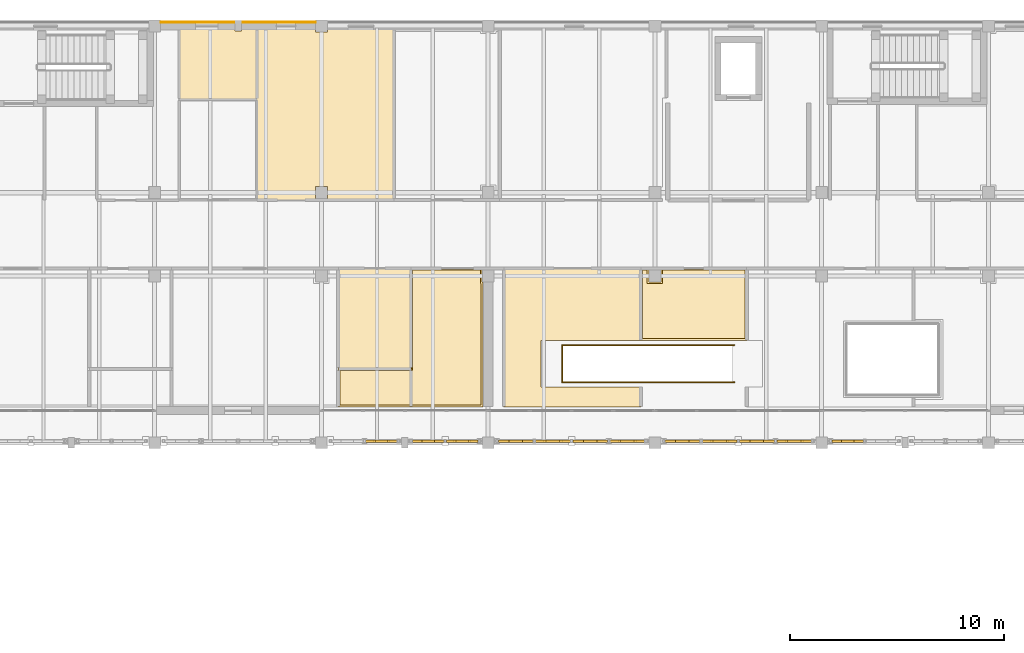
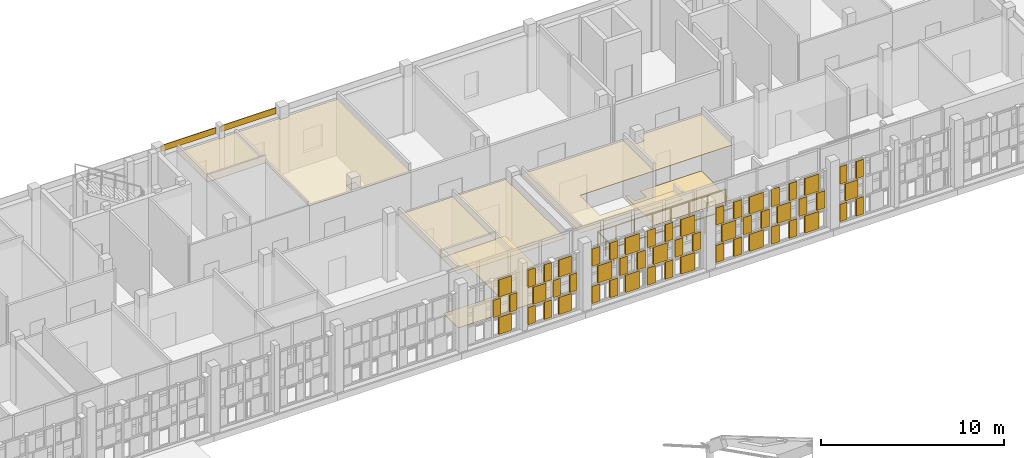
# One storey, part 117 of 119: 63 coverings, 3 railings.
"""IFC4 building model written with IfcOpenShell, lengths in metres."""

from ifc_helpers import new_model, si_unit, direction, frame, origin, origin_2d, place, context, subcontext, project, spatial, polyline, rectangle, circle, outline, extrude, material, layer, layer_set, type_object, element, save


model = new_model("IFC4")

# Units and contexts
model_context = context("Model", 3, precision=1e-05, world=origin(), true_north=direction((0.0, 1.0)))
body_context = subcontext(model_context, "Body", "Model", "MODEL_VIEW")
ifc_project = project(units=[si_unit("LENGTHUNIT", "METRE"), si_unit("AREAUNIT", "SQUARE_METRE"), si_unit("VOLUMEUNIT", "CUBIC_METRE"), si_unit("PLANEANGLEUNIT", "RADIAN"), si_unit("MASSUNIT", "GRAM", prefix="KILO")], contexts=[model_context])

# Site, building, storey
site_placement = place(None, origin())
site = spatial("IfcSite", under=ifc_project, at=site_placement, CompositionType="ELEMENT")
building_placement = place(site_placement, origin())
building = spatial("IfcBuilding", under=site, at=building_placement, Name="Celorna Specialist Clinic", CompositionType="ELEMENT")
storey_placement = place(building_placement, frame((0.0, 0.0, 9.60009765625)))
storey = spatial("IfcBuildingStorey", under=building, at=storey_placement, Name="L02", CompositionType="ELEMENT", Elevation=9.60009765625)

# Railings
ifc_material_1 = material(Name="Stainless steel and laminated glass balustrade", Category="steel")
railing_type = type_object("IfcRailingType", Name="BL-01", PredefinedType="BALUSTRADE", material=ifc_material_1)
railing_1_placement = place(storey_placement, frame((112.9150390625, 99.330078125, 0.0)))
element("IfcRailing", 1, at=railing_1_placement, inside=storey, type_object=railing_type, Name="Feature stair ST-17 upper well balustrade 1", PredefinedType="BALUSTRADE", context=body_context, shape_type="SweptSolid", body=[
    extrude(circle(Radius=0.02392578125, at=origin_2d()), frame((0.0, 0.0, 1.09619140625), z_axis=(-1.0, 0.0, 0.0), x_axis=(0.0, -1.0, 0.0)), (0.0, 0.0, 1.0), 8.054931640625),
    extrude(circle(Radius=0.02099609375, at=origin_2d()), origin(), (0.0, 0.0, 1.0), 1.072021484375),
    extrude(circle(Radius=0.02099609375, at=origin_2d()), frame((-1.150634765625, 0.0, 0.0)), (0.0, 0.0, 1.0), 1.072021484375),
    extrude(circle(Radius=0.02099609375, at=origin_2d()), frame((-2.301513671875, 0.0, 0.0)), (0.0, 0.0, 1.0), 1.072021484375),
    extrude(circle(Radius=0.02099609375, at=origin_2d()), frame((-3.4521484375, 0.0, 0.0)), (0.0, 0.0, 1.0), 1.072021484375),
    extrude(circle(Radius=0.02099609375, at=origin_2d()), frame((-4.602783203125, 0.0, 0.0)), (0.0, 0.0, 1.0), 1.072021484375),
    extrude(circle(Radius=0.02099609375, at=origin_2d()), frame((-5.75341796875, 0.0, 0.0)), (0.0, 0.0, 1.0), 1.072021484375),
    extrude(circle(Radius=0.02099609375, at=origin_2d()), frame((-6.904296875, 0.0, 0.0)), (0.0, 0.0, 1.0), 1.072021484375),
    extrude(circle(Radius=0.02099609375, at=origin_2d()), frame((-8.054931640625, 0.0, 0.0)), (0.0, 0.0, 1.0), 1.072021484375),
])
railing_2_placement = place(storey_placement, frame((104.860107421875, 99.330078125, 0.0)))
element("IfcRailing", 2, at=railing_2_placement, inside=storey, type_object=railing_type, Name="Feature stair ST-17 upper well balustrade 2", PredefinedType="BALUSTRADE", context=body_context, shape_type="SweptSolid", body=[
    extrude(circle(Radius=0.02392578125, at=origin_2d()), frame((0.0, 0.0, 1.09619140625), z_axis=(0.0, 1.0, 0.0), x_axis=(-1.0, 0.0, 0.0)), (0.0, 0.0, 1.0), 1.739990234375),
    extrude(circle(Radius=0.02099609375, at=origin_2d()), origin(), (0.0, 0.0, 1.0), 1.072021484375),
    extrude(circle(Radius=0.02099609375, at=origin_2d()), frame((0.0, 0.8701171875, 0.0)), (0.0, 0.0, 1.0), 1.072021484375),
    extrude(circle(Radius=0.02099609375, at=origin_2d()), frame((0.0, 1.739990234375, 0.0)), (0.0, 0.0, 1.0), 1.072021484375),
])
railing_3_placement = place(storey_placement, frame((104.860107421875, 101.070068359375, 0.0)))
element("IfcRailing", 3, at=railing_3_placement, inside=storey, type_object=railing_type, Name="Feature stair ST-17 upper well balustrade 3", PredefinedType="BALUSTRADE", context=body_context, shape_type="SweptSolid", body=[
    extrude(circle(Radius=0.02392578125, at=origin_2d()), frame((0.0, 0.0, 1.09619140625), z_axis=(1.0, 0.0, 0.0), x_axis=(0.0, 1.0, 0.0)), (0.0, 0.0, 1.0), 8.054931640625),
    extrude(circle(Radius=0.02099609375, at=origin_2d()), origin(), (0.0, 0.0, 1.0), 1.072021484375),
    extrude(circle(Radius=0.02099609375, at=origin_2d()), frame((1.150634765625, 0.0, 0.0)), (0.0, 0.0, 1.0), 1.072021484375),
    extrude(circle(Radius=0.02099609375, at=origin_2d()), frame((2.301513671875, 0.0, 0.0)), (0.0, 0.0, 1.0), 1.072021484375),
    extrude(circle(Radius=0.02099609375, at=origin_2d()), frame((3.4521484375, 0.0, 0.0)), (0.0, 0.0, 1.0), 1.072021484375),
    extrude(circle(Radius=0.02099609375, at=origin_2d()), frame((4.602783203125, 0.0, 0.0)), (0.0, 0.0, 1.0), 1.072021484375),
    extrude(circle(Radius=0.02099609375, at=origin_2d()), frame((5.75341796875, 0.0, 0.0)), (0.0, 0.0, 1.0), 1.072021484375),
    extrude(circle(Radius=0.02099609375, at=origin_2d()), frame((6.904296875, 0.0, 0.0)), (0.0, 0.0, 1.0), 1.072021484375),
    extrude(circle(Radius=0.02099609375, at=origin_2d()), frame((8.054931640625, 0.0, 0.0)), (0.0, 0.0, 1.0), 1.072021484375),
])

# Coverings
ifc_material_2 = material(Name="Hygienic acoustic mineral-fibre ceiling")
ifc_layer_1 = layer(ifc_material_2, 0.030029296875, Name="Hygienic acoustic mineral-fibre ceiling")
ifc_layer_set_1 = layer_set([ifc_layer_1], Name="Hygienic acoustic mineral-fibre ceiling")
covering_type_1 = type_object("IfcCoveringType", Name="CE-01", PredefinedType="CEILING", material=ifc_layer_set_1)
covering_1_placement = place(storey_placement, frame((0.0, 0.0, 3.68994140625)))
element("IfcCovering", 4, at=covering_1_placement, inside=storey, type_object=covering_type_1, Name="Acoustic ceiling L02-034", PredefinedType="CEILING", context=body_context, shape_type="SweptSolid", body=[
    extrude(outline(polyline([(97.804931640625, 104.6650390625), (97.804931640625, 99.93505859375), (94.375, 99.93505859375), (94.375, 104.6650390625), (97.804931640625, 104.6650390625)])), origin(), (0.0, 0.0, 1.0), 0.030029296875),
])
covering_2_placement = place(storey_placement, frame((0.0, 0.0, 3.68994140625)))
element("IfcCovering", 5, at=covering_2_placement, inside=storey, type_object=covering_type_1, Name="Acoustic ceiling L02-035", PredefinedType="CEILING", context=body_context, shape_type="SweptSolid", body=[
    extrude(outline(polyline([(97.77490234375, 104.6650390625), (101.1298828125, 104.6650390625), (101.1298828125, 104.580078125), (101.1201171875, 104.580078125), (101.1201171875, 104.02001953125), (101.1650390625, 104.02001953125), (101.1650390625, 98.175048828125), (94.375, 98.175048828125), (94.375, 99.965087890625), (97.77490234375, 99.965087890625), (97.77490234375, 104.6650390625)])), origin(), (0.0, 0.0, 1.0), 0.030029296875),
])
covering_3_placement = place(storey_placement, frame((0.0, 0.0, 3.68994140625)))
element("IfcCovering", 6, at=covering_3_placement, inside=storey, type_object=covering_type_1, Name="Acoustic ceiling L02-036", PredefinedType="CEILING", context=body_context, shape_type="SweptSolid", body=[
    extrude(outline(polyline([(102.125, 104.6650390625), (108.554931640625, 104.6650390625), (108.554931640625, 101.284912109375), (103.864990234375, 101.284912109375), (103.864990234375, 99.114990234375), (108.554931640625, 99.114990234375), (108.554931640625, 98.175048828125), (102.125, 98.175048828125), (102.125, 104.6650390625)])), origin(), (0.0, 0.0, 1.0), 0.030029296875),
])
covering_4_placement = place(storey_placement, frame((0.0, 0.0, 3.68994140625)))
element("IfcCovering", 7, at=covering_4_placement, inside=storey, type_object=covering_type_1, Name="Acoustic ceiling L02-037", PredefinedType="CEILING", context=body_context, shape_type="SweptSolid", body=[
    extrude(outline(polyline([(108.929931640625, 104.580078125), (108.919921875, 104.580078125), (108.919921875, 104.02001953125), (109.47998046875, 104.02001953125), (109.47998046875, 104.580078125), (109.469970703125, 104.580078125), (109.469970703125, 104.6650390625), (113.5048828125, 104.6650390625), (113.5048828125, 101.284912109375), (108.52490234375, 101.284912109375), (108.52490234375, 104.6650390625), (108.929931640625, 104.6650390625), (108.929931640625, 104.580078125)])), origin(), (0.0, 0.0, 1.0), 0.030029296875),
])
covering_5_placement = place(storey_placement, frame((0.0, 0.0, 3.68994140625)))
element("IfcCovering", 8, at=covering_5_placement, inside=storey, type_object=covering_type_1, Name="Acoustic ceiling L02-046", PredefinedType="CEILING", context=body_context, shape_type="SweptSolid", body=[
    extrude(outline(polyline([(93.320068359375, 115.824951171875), (93.320068359375, 115.719970703125), (93.8798828125, 115.719970703125), (93.8798828125, 115.824951171875), (97.0048828125, 115.824951171875), (97.0048828125, 107.8349609375), (93.8701171875, 107.8349609375), (93.8701171875, 107.919921875), (93.8798828125, 107.919921875), (93.8798828125, 108.47998046875), (93.320068359375, 108.47998046875), (93.320068359375, 107.919921875), (93.330078125, 107.919921875), (93.330078125, 107.8349609375), (90.574951171875, 107.8349609375), (90.574951171875, 112.534912109375), (86.925048828125, 112.534912109375), (86.925048828125, 115.824951171875), (89.544921875, 115.824951171875), (89.544921875, 115.7548828125), (89.85498046875, 115.7548828125), (89.85498046875, 115.824951171875), (93.320068359375, 115.824951171875)])), origin(), (0.0, 0.0, 1.0), 0.030029296875),
])
ifc_material_3 = material(Name="Pero Pinheiro Lioz limestone rainscreen cladding", Category="masonry")
ifc_layer_2 = layer(ifc_material_3, 0.044921875, Name="Pero Pinheiro Lioz limestone rainscreen cladding")
ifc_layer_set_2 = layer_set([ifc_layer_2], Name="Pero Pinheiro Lioz limestone rainscreen cladding")
covering_type_2 = type_object("IfcCoveringType", Name="CL-01", PredefinedType="CLADDING", material=ifc_layer_set_2)
for number, where, z_axis, x_axis, name in (
    (9, (87.8125, 116.16748046875, 3.83984375), (0.0, 0.0, 1.0), (1.0, 0.0, 0.0), "Lioz spandrel cladding #241"),
    (10, (91.58740234375, 116.16748046875, 3.83984375), (0.0, 0.0, 1.0), (1.0, 0.0, 0.0), "Lioz spandrel cladding #242"),
):
    element("IfcCovering", number, at=place(storey_placement, frame(where, z_axis=z_axis, x_axis=x_axis)), inside=storey, type_object=covering_type_2, Name=name, PredefinedType="CLADDING", context=body_context, shape_type="SweptSolid", body=[
        extrude(rectangle(XDim=3.47509765625, YDim=0.044921875, at=origin_2d()), origin(), (0.0, 0.0, 1.0), 0.39990234375),
    ])
ifc_material_4 = material(Name="Perforated terracotta brick weave cladding", Category="masonry")
ifc_layer_3 = layer(ifc_material_4, 0.114990234375, Name="Perforated terracotta brick weave cladding")
ifc_layer_set_3 = layer_set([ifc_layer_3], Name="Perforated terracotta brick weave cladding")
covering_type_3 = type_object("IfcCoveringType", Name="CL-02", PredefinedType="CLADDING", material=ifc_layer_set_3)
covering_6_placement = place(storey_placement, frame((96.4111328125, 96.570068359375, 0.10009765625), z_axis=(0.0, 0.0, 1.0), x_axis=(1.0, 0.0, 0.0)))
element("IfcCovering", 11, at=covering_6_placement, inside=storey, type_object=covering_type_3, Name="Woven perforated terracotta brick course #973", PredefinedType="CLADDING", context=body_context, shape_type="SweptSolid", body=[
    extrude(rectangle(XDim=0.7978515625, YDim=0.114990234375, at=origin_2d()), origin(), (0.0, 0.0, 1.0), 1.146728515625),
])
for number, where, z_axis, x_axis, name in (
    (12, (95.897705078125, 96.570068359375, 1.3466796875), (0.0, 0.0, 1.0), (1.0, 0.0, 0.0), "Woven perforated terracotta brick course #974"),
    (13, (96.9248046875, 96.570068359375, 1.3466796875), (0.0, 0.0, 1.0), (1.0, 0.0, 0.0), "Woven perforated terracotta brick course #975"),
):
    element("IfcCovering", number, at=place(storey_placement, frame(where, z_axis=z_axis, x_axis=x_axis)), inside=storey, type_object=covering_type_3, Name=name, PredefinedType="CLADDING", context=body_context, shape_type="SweptSolid", body=[
        extrude(rectangle(XDim=0.45068359375, YDim=0.114990234375, at=origin_2d()), origin(), (0.0, 0.0, 1.0), 1.146484375),
    ])
covering_7_placement = place(storey_placement, frame((96.4111328125, 96.570068359375, 2.59326171875), z_axis=(0.0, 0.0, 1.0), x_axis=(1.0, 0.0, 0.0)))
element("IfcCovering", 14, at=covering_7_placement, inside=storey, type_object=covering_type_3, Name="Woven perforated terracotta brick course #976", PredefinedType="CLADDING", context=body_context, shape_type="SweptSolid", body=[
    extrude(rectangle(XDim=0.7978515625, YDim=0.114990234375, at=origin_2d()), origin(), (0.0, 0.0, 1.0), 1.146728515625),
])
for number, where, z_axis, x_axis, name in (
    (15, (98.0751953125, 96.570068359375, 0.10009765625), (0.0, 0.0, 1.0), (1.0, 0.0, 0.0), "Woven perforated terracotta brick course #977"),
    (16, (99.102294921875, 96.570068359375, 0.10009765625), (0.0, 0.0, 1.0), (1.0, 0.0, 0.0), "Woven perforated terracotta brick course #978"),
):
    element("IfcCovering", number, at=place(storey_placement, frame(where, z_axis=z_axis, x_axis=x_axis)), inside=storey, type_object=covering_type_3, Name=name, PredefinedType="CLADDING", context=body_context, shape_type="SweptSolid", body=[
        extrude(rectangle(XDim=0.45068359375, YDim=0.114990234375, at=origin_2d()), origin(), (0.0, 0.0, 1.0), 1.146728515625),
    ])
covering_8_placement = place(storey_placement, frame((98.5888671875, 96.570068359375, 1.3466796875), z_axis=(0.0, 0.0, 1.0), x_axis=(1.0, 0.0, 0.0)))
element("IfcCovering", 17, at=covering_8_placement, inside=storey, type_object=covering_type_3, Name="Woven perforated terracotta brick course #979", PredefinedType="CLADDING", context=body_context, shape_type="SweptSolid", body=[
    extrude(rectangle(XDim=0.7978515625, YDim=0.114990234375, at=origin_2d()), origin(), (0.0, 0.0, 1.0), 1.146484375),
])
for number, where, z_axis, x_axis, name in (
    (18, (98.0751953125, 96.570068359375, 2.59326171875), (0.0, 0.0, 1.0), (1.0, 0.0, 0.0), "Woven perforated terracotta brick course #980"),
    (19, (99.102294921875, 96.570068359375, 2.59326171875), (0.0, 0.0, 1.0), (1.0, 0.0, 0.0), "Woven perforated terracotta brick course #981"),
):
    element("IfcCovering", number, at=place(storey_placement, frame(where, z_axis=z_axis, x_axis=x_axis)), inside=storey, type_object=covering_type_3, Name=name, PredefinedType="CLADDING", context=body_context, shape_type="SweptSolid", body=[
        extrude(rectangle(XDim=0.45068359375, YDim=0.114990234375, at=origin_2d()), origin(), (0.0, 0.0, 1.0), 1.146728515625),
    ])
covering_9_placement = place(storey_placement, frame((100.186279296875, 96.570068359375, 0.10009765625), z_axis=(0.0, 0.0, 1.0), x_axis=(1.0, 0.0, 0.0)))
element("IfcCovering", 20, at=covering_9_placement, inside=storey, type_object=covering_type_3, Name="Woven perforated terracotta brick course #982", PredefinedType="CLADDING", context=body_context, shape_type="SweptSolid", body=[
    extrude(rectangle(XDim=0.7978515625, YDim=0.114990234375, at=origin_2d()), origin(), (0.0, 0.0, 1.0), 1.146728515625),
])
for number, where, z_axis, x_axis, name in (
    (21, (99.6728515625, 96.570068359375, 1.3466796875), (0.0, 0.0, 1.0), (1.0, 0.0, 0.0), "Woven perforated terracotta brick course #983"),
    (22, (100.69970703125, 96.570068359375, 1.3466796875), (0.0, 0.0, 1.0), (1.0, 0.0, 0.0), "Woven perforated terracotta brick course #984"),
):
    element("IfcCovering", number, at=place(storey_placement, frame(where, z_axis=z_axis, x_axis=x_axis)), inside=storey, type_object=covering_type_3, Name=name, PredefinedType="CLADDING", context=body_context, shape_type="SweptSolid", body=[
        extrude(rectangle(XDim=0.45068359375, YDim=0.114990234375, at=origin_2d()), origin(), (0.0, 0.0, 1.0), 1.146484375),
    ])
covering_10_placement = place(storey_placement, frame((100.186279296875, 96.570068359375, 2.59326171875), z_axis=(0.0, 0.0, 1.0), x_axis=(1.0, 0.0, 0.0)))
element("IfcCovering", 23, at=covering_10_placement, inside=storey, type_object=covering_type_3, Name="Woven perforated terracotta brick course #985", PredefinedType="CLADDING", context=body_context, shape_type="SweptSolid", body=[
    extrude(rectangle(XDim=0.7978515625, YDim=0.114990234375, at=origin_2d()), origin(), (0.0, 0.0, 1.0), 1.146728515625),
])
for number, where, z_axis, x_axis, name in (
    (24, (102.12255859375, 96.570068359375, 0.10009765625), (0.0, 0.0, 1.0), (1.0, 0.0, 0.0), "Woven perforated terracotta brick course #986"),
    (25, (103.25, 96.570068359375, 0.10009765625), (0.0, 0.0, 1.0), (1.0, 0.0, 0.0), "Woven perforated terracotta brick course #987"),
):
    element("IfcCovering", number, at=place(storey_placement, frame(where, z_axis=z_axis, x_axis=x_axis)), inside=storey, type_object=covering_type_3, Name=name, PredefinedType="CLADDING", context=body_context, shape_type="SweptSolid", body=[
        extrude(rectangle(XDim=0.494873046875, YDim=0.114990234375, at=origin_2d()), origin(), (0.0, 0.0, 1.0), 1.146728515625),
    ])
covering_11_placement = place(storey_placement, frame((102.686279296875, 96.570068359375, 1.3466796875), z_axis=(0.0, 0.0, 1.0), x_axis=(1.0, 0.0, 0.0)))
element("IfcCovering", 26, at=covering_11_placement, inside=storey, type_object=covering_type_3, Name="Woven perforated terracotta brick course #988", PredefinedType="CLADDING", context=body_context, shape_type="SweptSolid", body=[
    extrude(rectangle(XDim=0.876220703125, YDim=0.114990234375, at=origin_2d()), origin(), (0.0, 0.0, 1.0), 1.146484375),
])
for number, where, z_axis, x_axis, name in (
    (27, (102.12255859375, 96.570068359375, 2.59326171875), (0.0, 0.0, 1.0), (1.0, 0.0, 0.0), "Woven perforated terracotta brick course #989"),
    (28, (103.25, 96.570068359375, 2.59326171875), (0.0, 0.0, 1.0), (1.0, 0.0, 0.0), "Woven perforated terracotta brick course #990"),
):
    element("IfcCovering", number, at=place(storey_placement, frame(where, z_axis=z_axis, x_axis=x_axis)), inside=storey, type_object=covering_type_3, Name=name, PredefinedType="CLADDING", context=body_context, shape_type="SweptSolid", body=[
        extrude(rectangle(XDim=0.494873046875, YDim=0.114990234375, at=origin_2d()), origin(), (0.0, 0.0, 1.0), 1.146728515625),
    ])
covering_12_placement = place(storey_placement, frame((104.4287109375, 96.570068359375, 0.10009765625), z_axis=(0.0, 0.0, 1.0), x_axis=(1.0, 0.0, 0.0)))
element("IfcCovering", 29, at=covering_12_placement, inside=storey, type_object=covering_type_3, Name="Woven perforated terracotta brick course #991", PredefinedType="CLADDING", context=body_context, shape_type="SweptSolid", body=[
    extrude(rectangle(XDim=0.876220703125, YDim=0.114990234375, at=origin_2d()), origin(), (0.0, 0.0, 1.0), 1.146728515625),
])
for number, where, z_axis, x_axis, name in (
    (30, (103.864990234375, 96.570068359375, 1.3466796875), (0.0, 0.0, 1.0), (1.0, 0.0, 0.0), "Woven perforated terracotta brick course #992"),
    (31, (104.99267578125, 96.570068359375, 1.3466796875), (0.0, 0.0, 1.0), (1.0, 0.0, 0.0), "Woven perforated terracotta brick course #993"),
):
    element("IfcCovering", number, at=place(storey_placement, frame(where, z_axis=z_axis, x_axis=x_axis)), inside=storey, type_object=covering_type_3, Name=name, PredefinedType="CLADDING", context=body_context, shape_type="SweptSolid", body=[
        extrude(rectangle(XDim=0.494873046875, YDim=0.114990234375, at=origin_2d()), origin(), (0.0, 0.0, 1.0), 1.146484375),
    ])
covering_13_placement = place(storey_placement, frame((104.4287109375, 96.570068359375, 2.59326171875), z_axis=(0.0, 0.0, 1.0), x_axis=(1.0, 0.0, 0.0)))
element("IfcCovering", 32, at=covering_13_placement, inside=storey, type_object=covering_type_3, Name="Woven perforated terracotta brick course #994", PredefinedType="CLADDING", context=body_context, shape_type="SweptSolid", body=[
    extrude(rectangle(XDim=0.876220703125, YDim=0.114990234375, at=origin_2d()), origin(), (0.0, 0.0, 1.0), 1.146728515625),
])
for number, where, z_axis, x_axis, name in (
    (33, (105.607421875, 96.570068359375, 0.10009765625), (0.0, 0.0, 1.0), (1.0, 0.0, 0.0), "Woven perforated terracotta brick course #995"),
    (34, (106.735107421875, 96.570068359375, 0.10009765625), (0.0, 0.0, 1.0), (1.0, 0.0, 0.0), "Woven perforated terracotta brick course #996"),
):
    element("IfcCovering", number, at=place(storey_placement, frame(where, z_axis=z_axis, x_axis=x_axis)), inside=storey, type_object=covering_type_3, Name=name, PredefinedType="CLADDING", context=body_context, shape_type="SweptSolid", body=[
        extrude(rectangle(XDim=0.494873046875, YDim=0.114990234375, at=origin_2d()), origin(), (0.0, 0.0, 1.0), 1.146728515625),
    ])
covering_14_placement = place(storey_placement, frame((106.17138671875, 96.570068359375, 1.3466796875), z_axis=(0.0, 0.0, 1.0), x_axis=(1.0, 0.0, 0.0)))
element("IfcCovering", 35, at=covering_14_placement, inside=storey, type_object=covering_type_3, Name="Woven perforated terracotta brick course #997", PredefinedType="CLADDING", context=body_context, shape_type="SweptSolid", body=[
    extrude(rectangle(XDim=0.876220703125, YDim=0.114990234375, at=origin_2d()), origin(), (0.0, 0.0, 1.0), 1.146484375),
])
for number, where, z_axis, x_axis, name in (
    (36, (105.607421875, 96.570068359375, 2.59326171875), (0.0, 0.0, 1.0), (1.0, 0.0, 0.0), "Woven perforated terracotta brick course #998"),
    (37, (106.735107421875, 96.570068359375, 2.59326171875), (0.0, 0.0, 1.0), (1.0, 0.0, 0.0), "Woven perforated terracotta brick course #999"),
):
    element("IfcCovering", number, at=place(storey_placement, frame(where, z_axis=z_axis, x_axis=x_axis)), inside=storey, type_object=covering_type_3, Name=name, PredefinedType="CLADDING", context=body_context, shape_type="SweptSolid", body=[
        extrude(rectangle(XDim=0.494873046875, YDim=0.114990234375, at=origin_2d()), origin(), (0.0, 0.0, 1.0), 1.146728515625),
    ])
covering_15_placement = place(storey_placement, frame((107.913818359375, 96.570068359375, 0.10009765625), z_axis=(0.0, 0.0, 1.0), x_axis=(1.0, 0.0, 0.0)))
element("IfcCovering", 38, at=covering_15_placement, inside=storey, type_object=covering_type_3, Name="Woven perforated terracotta brick course #1000", PredefinedType="CLADDING", context=body_context, shape_type="SweptSolid", body=[
    extrude(rectangle(XDim=0.876220703125, YDim=0.114990234375, at=origin_2d()), origin(), (0.0, 0.0, 1.0), 1.146728515625),
])
for number, where, z_axis, x_axis, name in (
    (39, (107.35009765625, 96.570068359375, 1.3466796875), (0.0, 0.0, 1.0), (1.0, 0.0, 0.0), "Woven perforated terracotta brick course #1001"),
    (40, (108.4775390625, 96.570068359375, 1.3466796875), (0.0, 0.0, 1.0), (1.0, 0.0, 0.0), "Woven perforated terracotta brick course #1002"),
):
    element("IfcCovering", number, at=place(storey_placement, frame(where, z_axis=z_axis, x_axis=x_axis)), inside=storey, type_object=covering_type_3, Name=name, PredefinedType="CLADDING", context=body_context, shape_type="SweptSolid", body=[
        extrude(rectangle(XDim=0.494873046875, YDim=0.114990234375, at=origin_2d()), origin(), (0.0, 0.0, 1.0), 1.146484375),
    ])
covering_16_placement = place(storey_placement, frame((107.913818359375, 96.570068359375, 2.59326171875), z_axis=(0.0, 0.0, 1.0), x_axis=(1.0, 0.0, 0.0)))
element("IfcCovering", 41, at=covering_16_placement, inside=storey, type_object=covering_type_3, Name="Woven perforated terracotta brick course #1003", PredefinedType="CLADDING", context=body_context, shape_type="SweptSolid", body=[
    extrude(rectangle(XDim=0.876220703125, YDim=0.114990234375, at=origin_2d()), origin(), (0.0, 0.0, 1.0), 1.146728515625),
])
for number, where, z_axis, x_axis, name in (
    (42, (109.922607421875, 96.570068359375, 0.10009765625), (0.0, 0.0, 1.0), (1.0, 0.0, 0.0), "Woven perforated terracotta brick course #1004"),
    (43, (111.050048828125, 96.570068359375, 0.10009765625), (0.0, 0.0, 1.0), (1.0, 0.0, 0.0), "Woven perforated terracotta brick course #1005"),
):
    element("IfcCovering", number, at=place(storey_placement, frame(where, z_axis=z_axis, x_axis=x_axis)), inside=storey, type_object=covering_type_3, Name=name, PredefinedType="CLADDING", context=body_context, shape_type="SweptSolid", body=[
        extrude(rectangle(XDim=0.494873046875, YDim=0.114990234375, at=origin_2d()), origin(), (0.0, 0.0, 1.0), 1.146728515625),
    ])
covering_17_placement = place(storey_placement, frame((110.486328125, 96.570068359375, 1.3466796875), z_axis=(0.0, 0.0, 1.0), x_axis=(1.0, 0.0, 0.0)))
element("IfcCovering", 44, at=covering_17_placement, inside=storey, type_object=covering_type_3, Name="Woven perforated terracotta brick course #1006", PredefinedType="CLADDING", context=body_context, shape_type="SweptSolid", body=[
    extrude(rectangle(XDim=0.876220703125, YDim=0.114990234375, at=origin_2d()), origin(), (0.0, 0.0, 1.0), 1.146484375),
])
for number, where, z_axis, x_axis, name in (
    (45, (109.922607421875, 96.570068359375, 2.59326171875), (0.0, 0.0, 1.0), (1.0, 0.0, 0.0), "Woven perforated terracotta brick course #1007"),
    (46, (111.050048828125, 96.570068359375, 2.59326171875), (0.0, 0.0, 1.0), (1.0, 0.0, 0.0), "Woven perforated terracotta brick course #1008"),
):
    element("IfcCovering", number, at=place(storey_placement, frame(where, z_axis=z_axis, x_axis=x_axis)), inside=storey, type_object=covering_type_3, Name=name, PredefinedType="CLADDING", context=body_context, shape_type="SweptSolid", body=[
        extrude(rectangle(XDim=0.494873046875, YDim=0.114990234375, at=origin_2d()), origin(), (0.0, 0.0, 1.0), 1.146728515625),
    ])
covering_18_placement = place(storey_placement, frame((112.228759765625, 96.570068359375, 0.10009765625), z_axis=(0.0, 0.0, 1.0), x_axis=(1.0, 0.0, 0.0)))
element("IfcCovering", 47, at=covering_18_placement, inside=storey, type_object=covering_type_3, Name="Woven perforated terracotta brick course #1009", PredefinedType="CLADDING", context=body_context, shape_type="SweptSolid", body=[
    extrude(rectangle(XDim=0.876220703125, YDim=0.114990234375, at=origin_2d()), origin(), (0.0, 0.0, 1.0), 1.146728515625),
])
for number, where, z_axis, x_axis, name in (
    (48, (111.6650390625, 96.570068359375, 1.3466796875), (0.0, 0.0, 1.0), (1.0, 0.0, 0.0), "Woven perforated terracotta brick course #1010"),
    (49, (112.79248046875, 96.570068359375, 1.3466796875), (0.0, 0.0, 1.0), (1.0, 0.0, 0.0), "Woven perforated terracotta brick course #1011"),
):
    element("IfcCovering", number, at=place(storey_placement, frame(where, z_axis=z_axis, x_axis=x_axis)), inside=storey, type_object=covering_type_3, Name=name, PredefinedType="CLADDING", context=body_context, shape_type="SweptSolid", body=[
        extrude(rectangle(XDim=0.494873046875, YDim=0.114990234375, at=origin_2d()), origin(), (0.0, 0.0, 1.0), 1.146484375),
    ])
covering_19_placement = place(storey_placement, frame((112.228759765625, 96.570068359375, 2.59326171875), z_axis=(0.0, 0.0, 1.0), x_axis=(1.0, 0.0, 0.0)))
element("IfcCovering", 50, at=covering_19_placement, inside=storey, type_object=covering_type_3, Name="Woven perforated terracotta brick course #1012", PredefinedType="CLADDING", context=body_context, shape_type="SweptSolid", body=[
    extrude(rectangle(XDim=0.876220703125, YDim=0.114990234375, at=origin_2d()), origin(), (0.0, 0.0, 1.0), 1.146728515625),
])
for number, where, z_axis, x_axis, name in (
    (51, (113.407470703125, 96.570068359375, 0.10009765625), (0.0, 0.0, 1.0), (1.0, 0.0, 0.0), "Woven perforated terracotta brick course #1013"),
    (52, (114.53515625, 96.570068359375, 0.10009765625), (0.0, 0.0, 1.0), (1.0, 0.0, 0.0), "Woven perforated terracotta brick course #1014"),
):
    element("IfcCovering", number, at=place(storey_placement, frame(where, z_axis=z_axis, x_axis=x_axis)), inside=storey, type_object=covering_type_3, Name=name, PredefinedType="CLADDING", context=body_context, shape_type="SweptSolid", body=[
        extrude(rectangle(XDim=0.494873046875, YDim=0.114990234375, at=origin_2d()), origin(), (0.0, 0.0, 1.0), 1.146728515625),
    ])
covering_20_placement = place(storey_placement, frame((113.97119140625, 96.570068359375, 1.3466796875), z_axis=(0.0, 0.0, 1.0), x_axis=(1.0, 0.0, 0.0)))
element("IfcCovering", 53, at=covering_20_placement, inside=storey, type_object=covering_type_3, Name="Woven perforated terracotta brick course #1015", PredefinedType="CLADDING", context=body_context, shape_type="SweptSolid", body=[
    extrude(rectangle(XDim=0.876220703125, YDim=0.114990234375, at=origin_2d()), origin(), (0.0, 0.0, 1.0), 1.146484375),
])
for number, where, z_axis, x_axis, name in (
    (54, (113.407470703125, 96.570068359375, 2.59326171875), (0.0, 0.0, 1.0), (1.0, 0.0, 0.0), "Woven perforated terracotta brick course #1016"),
    (55, (114.53515625, 96.570068359375, 2.59326171875), (0.0, 0.0, 1.0), (1.0, 0.0, 0.0), "Woven perforated terracotta brick course #1017"),
):
    element("IfcCovering", number, at=place(storey_placement, frame(where, z_axis=z_axis, x_axis=x_axis)), inside=storey, type_object=covering_type_3, Name=name, PredefinedType="CLADDING", context=body_context, shape_type="SweptSolid", body=[
        extrude(rectangle(XDim=0.494873046875, YDim=0.114990234375, at=origin_2d()), origin(), (0.0, 0.0, 1.0), 1.146728515625),
    ])
covering_21_placement = place(storey_placement, frame((115.7138671875, 96.570068359375, 0.10009765625), z_axis=(0.0, 0.0, 1.0), x_axis=(1.0, 0.0, 0.0)))
element("IfcCovering", 56, at=covering_21_placement, inside=storey, type_object=covering_type_3, Name="Woven perforated terracotta brick course #1018", PredefinedType="CLADDING", context=body_context, shape_type="SweptSolid", body=[
    extrude(rectangle(XDim=0.876220703125, YDim=0.114990234375, at=origin_2d()), origin(), (0.0, 0.0, 1.0), 1.146728515625),
])
for number, where, z_axis, x_axis, name in (
    (57, (115.14990234375, 96.570068359375, 1.3466796875), (0.0, 0.0, 1.0), (1.0, 0.0, 0.0), "Woven perforated terracotta brick course #1019"),
    (58, (116.277587890625, 96.570068359375, 1.3466796875), (0.0, 0.0, 1.0), (1.0, 0.0, 0.0), "Woven perforated terracotta brick course #1020"),
):
    element("IfcCovering", number, at=place(storey_placement, frame(where, z_axis=z_axis, x_axis=x_axis)), inside=storey, type_object=covering_type_3, Name=name, PredefinedType="CLADDING", context=body_context, shape_type="SweptSolid", body=[
        extrude(rectangle(XDim=0.494873046875, YDim=0.114990234375, at=origin_2d()), origin(), (0.0, 0.0, 1.0), 1.146484375),
    ])
covering_22_placement = place(storey_placement, frame((115.7138671875, 96.570068359375, 2.59326171875), z_axis=(0.0, 0.0, 1.0), x_axis=(1.0, 0.0, 0.0)))
element("IfcCovering", 59, at=covering_22_placement, inside=storey, type_object=covering_type_3, Name="Woven perforated terracotta brick course #1021", PredefinedType="CLADDING", context=body_context, shape_type="SweptSolid", body=[
    extrude(rectangle(XDim=0.876220703125, YDim=0.114990234375, at=origin_2d()), origin(), (0.0, 0.0, 1.0), 1.146728515625),
])
for number, where, z_axis, x_axis, name in (
    (60, (117.7001953125, 96.570068359375, 0.10009765625), (0.0, 0.0, 1.0), (1.0, 0.0, 0.0), "Woven perforated terracotta brick course #1022"),
    (61, (118.727294921875, 96.570068359375, 0.10009765625), (0.0, 0.0, 1.0), (1.0, 0.0, 0.0), "Woven perforated terracotta brick course #1023"),
):
    element("IfcCovering", number, at=place(storey_placement, frame(where, z_axis=z_axis, x_axis=x_axis)), inside=storey, type_object=covering_type_3, Name=name, PredefinedType="CLADDING", context=body_context, shape_type="SweptSolid", body=[
        extrude(rectangle(XDim=0.45068359375, YDim=0.114990234375, at=origin_2d()), origin(), (0.0, 0.0, 1.0), 1.146728515625),
    ])
covering_23_placement = place(storey_placement, frame((118.2138671875, 96.570068359375, 1.3466796875), z_axis=(0.0, 0.0, 1.0), x_axis=(1.0, 0.0, 0.0)))
element("IfcCovering", 62, at=covering_23_placement, inside=storey, type_object=covering_type_3, Name="Woven perforated terracotta brick course #1024", PredefinedType="CLADDING", context=body_context, shape_type="SweptSolid", body=[
    extrude(rectangle(XDim=0.7978515625, YDim=0.114990234375, at=origin_2d()), origin(), (0.0, 0.0, 1.0), 1.146484375),
])
for number, where, z_axis, x_axis, name in (
    (63, (117.7001953125, 96.570068359375, 2.59326171875), (0.0, 0.0, 1.0), (1.0, 0.0, 0.0), "Woven perforated terracotta brick course #1025"),
    (64, (118.727294921875, 96.570068359375, 2.59326171875), (0.0, 0.0, 1.0), (1.0, 0.0, 0.0), "Woven perforated terracotta brick course #1026"),
):
    element("IfcCovering", number, at=place(storey_placement, frame(where, z_axis=z_axis, x_axis=x_axis)), inside=storey, type_object=covering_type_3, Name=name, PredefinedType="CLADDING", context=body_context, shape_type="SweptSolid", body=[
        extrude(rectangle(XDim=0.45068359375, YDim=0.114990234375, at=origin_2d()), origin(), (0.0, 0.0, 1.0), 1.146728515625),
    ])
ifc_material_5 = material(Name="Seamless antimicrobial clinical vinyl and Lioz terrazzo flooring")
ifc_layer_4 = layer(ifc_material_5, 0.02001953125, Name="Seamless antimicrobial clinical vinyl and Lioz terrazzo flooring")
ifc_layer_set_4 = layer_set([ifc_layer_4], Name="Seamless antimicrobial clinical vinyl and Lioz terrazzo flooring")
covering_type_4 = type_object("IfcCoveringType", Name="FL-01", PredefinedType="FLOORING", material=ifc_layer_set_4)
covering_24_placement = place(storey_placement, origin())
element("IfcCovering", 65, at=covering_24_placement, inside=storey, type_object=covering_type_4, Name="Antimicrobial clinical flooring L02-035", PredefinedType="FLOORING", context=body_context, shape_type="SweptSolid", body=[
    extrude(outline(polyline([(97.864990234375, 99.875), (97.864990234375, 104.574951171875), (101.0400390625, 104.574951171875), (101.0400390625, 103.93994140625), (101.074951171875, 103.93994140625), (101.074951171875, 98.264892578125), (94.465087890625, 98.264892578125), (94.465087890625, 99.875), (97.864990234375, 99.875)])), origin(), (0.0, 0.0, 1.0), 0.02001953125),
])
covering_25_placement = place(storey_placement, origin())
element("IfcCovering", 66, at=covering_25_placement, inside=storey, type_object=covering_type_4, Name="Antimicrobial clinical flooring L02-037", PredefinedType="FLOORING", context=body_context, shape_type="SweptSolid", body=[
    extrude(outline(polyline([(108.840087890625, 104.574951171875), (108.840087890625, 103.93994140625), (109.56005859375, 103.93994140625), (109.56005859375, 104.574951171875), (113.4150390625, 104.574951171875), (113.4150390625, 101.375), (108.614990234375, 101.375), (108.614990234375, 104.574951171875), (108.840087890625, 104.574951171875)])), origin(), (0.0, 0.0, 1.0), 0.02001953125),
])

save(model, "model.ifc")
